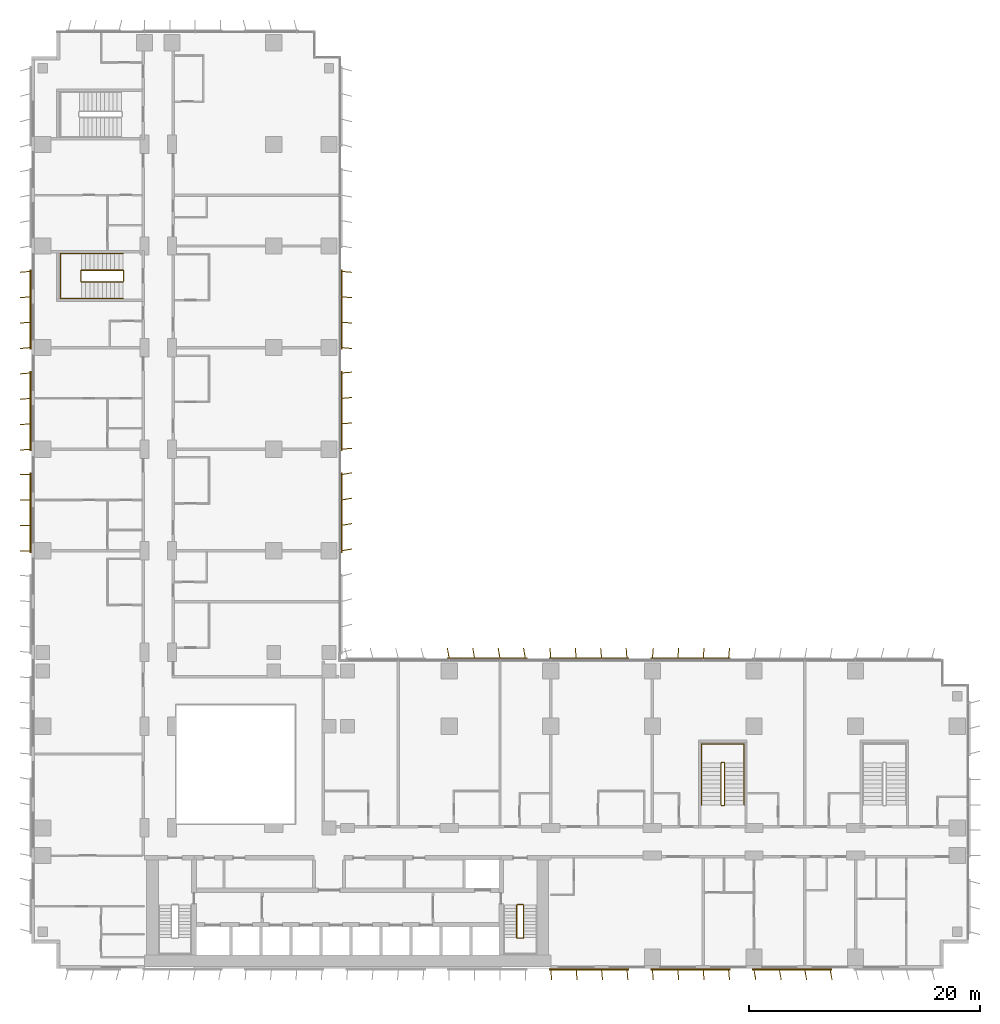
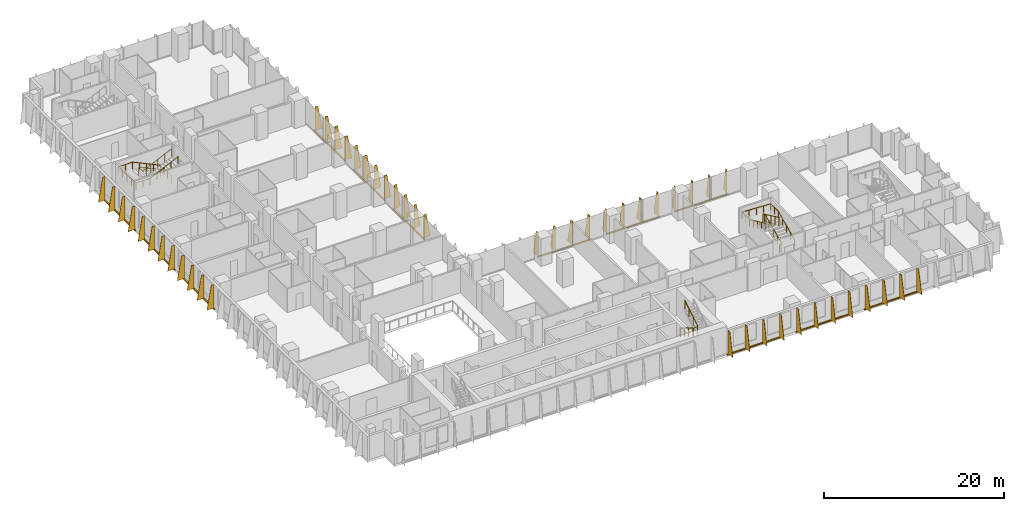
# One storey, part 22 of 24: 12 shading devices, 5 railings.
"""IFC4 building model written with IfcOpenShell, lengths in metres."""

from ifc_helpers import new_model, si_unit, direction, frame, origin, origin_2d, place, context, subcontext, project, spatial, polyline, rectangle, circle, outline, extrude, source, transform, mapped, material, layer, layer_set, type_object, element, save


model = new_model("IFC4")

# Units and contexts
model_context = context("Model", 3, precision=1e-05, world=origin(), true_north=direction((0.0, 1.0)))
body_context = subcontext(model_context, "Body", "Model", "MODEL_VIEW")
ifc_project = project(units=[si_unit("LENGTHUNIT", "METRE"), si_unit("AREAUNIT", "SQUARE_METRE"), si_unit("VOLUMEUNIT", "CUBIC_METRE"), si_unit("PLANEANGLEUNIT", "RADIAN"), si_unit("MASSUNIT", "GRAM", prefix="KILO")], contexts=[model_context])

# Site, building, storey
site_placement = place(None, origin())
site = spatial("IfcSite", under=ifc_project, at=site_placement, CompositionType="ELEMENT")
building_placement = place(site_placement, origin())
building = spatial("IfcBuilding", under=site, at=building_placement, Name="Kemantara Hotel Tower", CompositionType="ELEMENT")
storey_placement = place(building_placement, frame((0.0, 0.0, 79.699951171875)))
storey = spatial("IfcBuildingStorey", under=building, at=storey_placement, Name="L18", CompositionType="ELEMENT", Elevation=79.699951171875)

# Railings
ifc_material_1 = material(Name="Stainless steel balustrade", Category="steel")
railing_type_1 = type_object("IfcRailingType", Name="Stair guard 1100 mm", PredefinedType="GUARDRAIL", material=ifc_material_1)
railing_1_placement = place(storey_placement, frame((42.64990234375, 5.5, 3.699951171875)))
element("IfcRailing", 1, at=railing_1_placement, inside=storey, type_object=railing_type_1, Name="L18 ST2 stair guard 1", PredefinedType="GUARDRAIL", context=body_context, shape_type="SweptSolid", body=[
    extrude(circle(Radius=0.02392578125, at=origin_2d()), frame((0.0, 0.0, 1.076171875), z_axis=(0.0, -0.857275202839, -0.514858452973), x_axis=(1.0, 0.0, 0.0)), (0.0, 0.0, 1.0), 3.26611328125),
    extrude(circle(Radius=0.02392578125, at=origin_2d()), frame((0.0, -2.800048828125, -0.60546875), z_axis=(-0.273006030465, -0.27434429532, -0.922064485248), x_axis=(0.708833529934, -0.705375805398, 0.0)), (0.0, 0.0, 1.0), 0.182373046875),
    extrude(circle(Radius=0.02392578125, at=origin_2d()), frame((-0.0498046875, -2.85009765625, -0.77392578125), z_axis=(-1.0, 0.0, 0.0), x_axis=(0.0, -1.0, 0.0)), (0.0, 0.0, 1.0), 0.5),
    extrude(circle(Radius=0.02392578125, at=origin_2d()), frame((-0.5498046875, -2.85009765625, -0.77392578125), z_axis=(-0.707106781187, 0.707106781187, 0.0), x_axis=(-0.707106781187, -0.707106781187, 0.0)), (0.0, 0.0, 1.0), 0.07080078125),
    extrude(circle(Radius=0.02392578125, at=origin_2d()), frame((-0.599853515625, -2.800048828125, -0.77392578125), z_axis=(0.0, 0.857242210791, -0.514913383045), x_axis=(-1.0, 0.0, 0.0)), (0.0, 0.0, 1.0), 3.266357421875),
    extrude(circle(Radius=0.02392578125, at=origin_2d()), frame((-0.599853515625, 0.0, -2.45556640625), z_axis=(0.274243871929, 0.274243871929, -0.92172696468), x_axis=(-0.707106781187, 0.707106781187, 0.0)), (0.0, 0.0, 1.0), 0.1826171875),
    extrude(circle(Radius=0.02392578125, at=origin_2d()), frame((-0.5498046875, 0.050048828125, -2.6240234375), z_axis=(1.0, 0.0, 0.0), x_axis=(0.0, 1.0, 0.0)), (0.0, 0.0, 1.0), 0.5),
    extrude(circle(Radius=0.02099609375, at=origin_2d()), origin(), (0.0, 0.0, 1.0), 1.052001953125),
    extrude(circle(Radius=0.02099609375, at=origin_2d()), frame((0.0, -0.933349609375, -0.560546875)), (0.0, 0.0, 1.0), 1.052001953125),
    extrude(circle(Radius=0.02099609375, at=origin_2d()), frame((0.0, -1.86669921875, -1.12109375)), (0.0, 0.0, 1.0), 1.052001953125),
    extrude(circle(Radius=0.02099609375, at=origin_2d()), frame((0.0, -2.800048828125, -1.681640625)), (0.0, 0.0, 1.0), 1.052001953125),
    extrude(circle(Radius=0.02099609375, at=origin_2d()), frame((-0.0498046875, -2.85009765625, -1.849853515625)), (0.0, 0.0, 1.0), 1.052001953125),
    extrude(circle(Radius=0.02099609375, at=origin_2d()), frame((-0.5498046875, -2.85009765625, -1.849853515625)), (0.0, 0.0, 1.0), 1.052001953125),
    extrude(circle(Radius=0.02099609375, at=origin_2d()), frame((-0.599853515625, -2.800048828125, -1.849853515625)), (0.0, 0.0, 1.0), 1.052001953125),
    extrude(circle(Radius=0.02099609375, at=origin_2d()), frame((-0.599853515625, -1.86669921875, -2.410400390625)), (0.0, 0.0, 1.0), 1.052001953125),
    extrude(circle(Radius=0.02099609375, at=origin_2d()), frame((-0.599853515625, -0.933349609375, -2.97119140625)), (0.0, 0.0, 1.0), 1.052001953125),
    extrude(circle(Radius=0.02099609375, at=origin_2d()), frame((-0.599853515625, 0.0, -3.53173828125)), (0.0, 0.0, 1.0), 1.052001953125),
    extrude(circle(Radius=0.02099609375, at=origin_2d()), frame((-0.5498046875, 0.050048828125, -3.699951171875)), (0.0, 0.0, 1.0), 1.052001953125),
    extrude(circle(Radius=0.02099609375, at=origin_2d()), frame((-0.0498046875, 0.050048828125, -3.699951171875)), (0.0, 0.0, 1.0), 1.052001953125),
])
railing_2_placement = place(storey_placement, frame((59.75, 14.199951171875, 3.699951171875)))
element("IfcRailing", 2, at=railing_2_placement, inside=storey, type_object=railing_type_1, Name="L18 ST3 stair guard 1", PredefinedType="GUARDRAIL", context=body_context, shape_type="SweptSolid", body=[
    extrude(circle(Radius=0.02392578125, at=origin_2d()), frame((0.0, 0.0, 1.076171875), z_axis=(0.0, 0.906029249863, -0.423215073447), x_axis=(-1.0, 0.0, 0.0)), (0.0, 0.0, 1.0), 3.973388671875),
    extrude(circle(Radius=0.02392578125, at=origin_2d()), frame((0.0, 3.60009765625, -0.60546875), z_axis=(0.274243871929, 0.274243871929, -0.92172696468), x_axis=(-0.707106781187, 0.707106781187, 0.0)), (0.0, 0.0, 1.0), 0.1826171875),
    extrude(circle(Radius=0.02392578125, at=origin_2d()), frame((0.050048828125, 3.650146484375, -0.77392578125), z_axis=(1.0, 0.0, 0.0), x_axis=(0.0, 1.0, 0.0)), (0.0, 0.0, 1.0), 0.199951171875),
    extrude(circle(Radius=0.02392578125, at=origin_2d()), frame((0.25, 3.650146484375, -0.77392578125), z_axis=(0.707106781187, -0.707106781187, 0.0), x_axis=(0.707106781187, 0.707106781187, 0.0)), (0.0, 0.0, 1.0), 0.07080078125),
    extrude(circle(Radius=0.02392578125, at=origin_2d()), frame((0.300048828125, 3.60009765625, -0.77392578125), z_axis=(0.0, -0.906005689286, -0.423265508849), x_axis=(1.0, 0.0, 0.0)), (0.0, 0.0, 1.0), 3.9736328125),
    extrude(circle(Radius=0.02392578125, at=origin_2d()), frame((0.300048828125, 0.0, -2.45556640625), z_axis=(-0.274243871929, -0.274243871929, -0.92172696468), x_axis=(0.707106781187, -0.707106781187, 0.0)), (0.0, 0.0, 1.0), 0.1826171875),
    extrude(circle(Radius=0.02392578125, at=origin_2d()), frame((0.25, -0.050048828125, -2.6240234375), z_axis=(-1.0, 0.0, 0.0), x_axis=(0.0, -1.0, 0.0)), (0.0, 0.0, 1.0), 0.199951171875),
    extrude(circle(Radius=0.02099609375, at=origin_2d()), origin(), (0.0, 0.0, 1.0), 1.052001953125),
    extrude(circle(Radius=0.02099609375, at=origin_2d()), frame((0.0, 0.89990234375, -0.42041015625)), (0.0, 0.0, 1.0), 1.052001953125),
    extrude(circle(Radius=0.02099609375, at=origin_2d()), frame((0.0, 1.800048828125, -0.8408203125)), (0.0, 0.0, 1.0), 1.052001953125),
    extrude(circle(Radius=0.02099609375, at=origin_2d()), frame((0.0, 2.7001953125, -1.26123046875)), (0.0, 0.0, 1.0), 1.052001953125),
    extrude(circle(Radius=0.02099609375, at=origin_2d()), frame((0.0, 3.60009765625, -1.681640625)), (0.0, 0.0, 1.0), 1.052001953125),
    extrude(circle(Radius=0.02099609375, at=origin_2d()), frame((0.050048828125, 3.650146484375, -1.849853515625)), (0.0, 0.0, 1.0), 1.052001953125),
    extrude(circle(Radius=0.02099609375, at=origin_2d()), frame((0.25, 3.650146484375, -1.849853515625)), (0.0, 0.0, 1.0), 1.052001953125),
    extrude(circle(Radius=0.02099609375, at=origin_2d()), frame((0.300048828125, 3.60009765625, -1.849853515625)), (0.0, 0.0, 1.0), 1.052001953125),
    extrude(circle(Radius=0.02099609375, at=origin_2d()), frame((0.300048828125, 2.7001953125, -2.270263671875)), (0.0, 0.0, 1.0), 1.052001953125),
    extrude(circle(Radius=0.02099609375, at=origin_2d()), frame((0.300048828125, 1.800048828125, -2.69091796875)), (0.0, 0.0, 1.0), 1.052001953125),
    extrude(circle(Radius=0.02099609375, at=origin_2d()), frame((0.300048828125, 0.89990234375, -3.111328125)), (0.0, 0.0, 1.0), 1.052001953125),
    extrude(circle(Radius=0.02099609375, at=origin_2d()), frame((0.300048828125, 0.0, -3.53173828125)), (0.0, 0.0, 1.0), 1.052001953125),
    extrude(circle(Radius=0.02099609375, at=origin_2d()), frame((0.25, -0.050048828125, -3.699951171875)), (0.0, 0.0, 1.0), 1.052001953125),
    extrude(circle(Radius=0.02099609375, at=origin_2d()), frame((0.050048828125, -0.050048828125, -3.699951171875)), (0.0, 0.0, 1.0), 1.052001953125),
])
railing_3_placement = place(storey_placement, frame((7.949951171875, 59.5, 3.699951171875)))
element("IfcRailing", 3, at=railing_3_placement, inside=storey, type_object=railing_type_1, Name="L18 ST4 stair guard 1", PredefinedType="GUARDRAIL", context=body_context, shape_type="SweptSolid", body=[
    extrude(circle(Radius=0.02392578125, at=origin_2d()), frame((0.0, 0.0, 1.076171875), z_axis=(-0.906018243939, 0.0, -0.423238634402), x_axis=(0.0, -1.0, 0.0)), (0.0, 0.0, 1.0), 3.973388671875),
    extrude(circle(Radius=0.02392578125, at=origin_2d()), frame((-3.599853515625, 0.0, -0.60546875), z_axis=(-0.274243871929, 0.274243871929, -0.92172696468), x_axis=(-0.707106781187, -0.707106781187, 0.0)), (0.0, 0.0, 1.0), 0.1826171875),
    extrude(circle(Radius=0.02392578125, at=origin_2d()), frame((-3.64990234375, 0.050048828125, -0.77392578125), z_axis=(0.0, 1.0, 0.0), x_axis=(-1.0, 0.0, 0.0)), (0.0, 0.0, 1.0), 0.89990234375),
    extrude(circle(Radius=0.02392578125, at=origin_2d()), frame((-3.64990234375, 0.949951171875, -0.77392578125), z_axis=(0.707106781187, 0.707106781187, 0.0), x_axis=(-0.707106781187, 0.707106781187, 0.0)), (0.0, 0.0, 1.0), 0.07080078125),
    extrude(circle(Radius=0.02392578125, at=origin_2d()), frame((-3.599853515625, 1.0, -0.77392578125), z_axis=(0.905994681025, 0.0, -0.423289071386), x_axis=(0.0, 1.0, 0.0)), (0.0, 0.0, 1.0), 3.973388671875),
    extrude(circle(Radius=0.02392578125, at=origin_2d()), frame((0.0, 1.0, -2.45556640625), z_axis=(0.274243871929, -0.274243871929, -0.92172696468), x_axis=(0.707106781187, 0.707106781187, 0.0)), (0.0, 0.0, 1.0), 0.1826171875),
    extrude(circle(Radius=0.02392578125, at=origin_2d()), frame((0.050048828125, 0.949951171875, -2.6240234375), z_axis=(0.0, -1.0, 0.0), x_axis=(1.0, 0.0, 0.0)), (0.0, 0.0, 1.0), 0.89990234375),
    extrude(circle(Radius=0.02099609375, at=origin_2d()), origin(), (0.0, 0.0, 1.0), 1.052001953125),
    extrude(circle(Radius=0.02099609375, at=origin_2d()), frame((-0.89990234375, 0.0, -0.42041015625)), (0.0, 0.0, 1.0), 1.052001953125),
    extrude(circle(Radius=0.02099609375, at=origin_2d()), frame((-1.7998046875, 0.0, -0.8408203125)), (0.0, 0.0, 1.0), 1.052001953125),
    extrude(circle(Radius=0.02099609375, at=origin_2d()), frame((-2.699951171875, 0.0, -1.26123046875)), (0.0, 0.0, 1.0), 1.052001953125),
    extrude(circle(Radius=0.02099609375, at=origin_2d()), frame((-3.599853515625, 0.0, -1.681640625)), (0.0, 0.0, 1.0), 1.052001953125),
    extrude(circle(Radius=0.02099609375, at=origin_2d()), frame((-3.64990234375, 0.050048828125, -1.849853515625)), (0.0, 0.0, 1.0), 1.052001953125),
    extrude(circle(Radius=0.02099609375, at=origin_2d()), frame((-3.64990234375, 0.949951171875, -1.849853515625)), (0.0, 0.0, 1.0), 1.052001953125),
    extrude(circle(Radius=0.02099609375, at=origin_2d()), frame((-3.599853515625, 1.0, -1.849853515625)), (0.0, 0.0, 1.0), 1.052001953125),
    extrude(circle(Radius=0.02099609375, at=origin_2d()), frame((-2.699951171875, 1.0, -2.270263671875)), (0.0, 0.0, 1.0), 1.052001953125),
    extrude(circle(Radius=0.02099609375, at=origin_2d()), frame((-1.7998046875, 1.0, -2.69091796875)), (0.0, 0.0, 1.0), 1.052001953125),
    extrude(circle(Radius=0.02099609375, at=origin_2d()), frame((-0.89990234375, 1.0, -3.111328125)), (0.0, 0.0, 1.0), 1.052001953125),
    extrude(circle(Radius=0.02099609375, at=origin_2d()), frame((0.0, 1.0, -3.53173828125)), (0.0, 0.0, 1.0), 1.052001953125),
    extrude(circle(Radius=0.02099609375, at=origin_2d()), frame((0.050048828125, 0.949951171875, -3.699951171875)), (0.0, 0.0, 1.0), 1.052001953125),
    extrude(circle(Radius=0.02099609375, at=origin_2d()), frame((0.050048828125, 0.050048828125, -3.699951171875)), (0.0, 0.0, 1.0), 1.052001953125),
])
railing_type_2 = type_object("IfcRailingType", Name="Stair handrail 900 mm", PredefinedType="HANDRAIL", material=ifc_material_1)
railing_4_placement = place(storey_placement, frame((61.75, 14.199951171875, 0.168212890625)))
element("IfcRailing", 4, at=railing_4_placement, inside=storey, type_object=railing_type_2, Name="L18 ST3 stair handrail 1", PredefinedType="HANDRAIL", context=body_context, shape_type="SweptSolid", body=[
    extrude(circle(Radius=0.02392578125, at=origin_2d()), frame((0.0, 0.0, 0.8759765625), z_axis=(0.0, 0.906005689286, 0.423265508849), x_axis=(-1.0, 0.0, 0.0)), (0.0, 0.0, 1.0), 3.9736328125),
    extrude(circle(Radius=0.02392578125, at=origin_2d()), frame((0.0, 3.60009765625, 2.5576171875), z_axis=(0.0, 1.0, 0.0), x_axis=(-1.0, 0.0, 0.0)), (0.0, 0.0, 1.0), 1.679931640625),
    extrude(circle(Radius=0.02392578125, at=origin_2d()), frame((0.0, 5.280029296875, 2.5576171875), z_axis=(-0.998968132438, 0.0, 0.045416631029), x_axis=(0.0, -1.0, 0.0)), (0.0, 0.0, 1.0), 3.703857421875),
    extrude(circle(Radius=0.02392578125, at=origin_2d()), frame((-3.699951171875, 5.280029296875, 2.72607421875), z_axis=(0.0, -1.0, 0.0), x_axis=(1.0, 0.0, 0.0)), (0.0, 0.0, 1.0), 1.679931640625),
    extrude(circle(Radius=0.02392578125, at=origin_2d()), frame((-3.699951171875, 3.60009765625, 2.72607421875), z_axis=(0.0, -0.906029249863, 0.423215073447), x_axis=(1.0, 0.0, 0.0)), (0.0, 0.0, 1.0), 3.973388671875),
    extrude(circle(Radius=0.02099609375, at=origin_2d()), origin(), (0.0, 0.0, 1.0), 0.851806640625),
    extrude(circle(Radius=0.02099609375, at=origin_2d()), frame((0.0, 0.89990234375, 0.42041015625)), (0.0, 0.0, 1.0), 0.851806640625),
    extrude(circle(Radius=0.02099609375, at=origin_2d()), frame((0.0, 1.800048828125, 0.8408203125)), (0.0, 0.0, 1.0), 0.851806640625),
    extrude(circle(Radius=0.02099609375, at=origin_2d()), frame((0.0, 2.7001953125, 1.261474609375)), (0.0, 0.0, 1.0), 0.851806640625),
    extrude(circle(Radius=0.02099609375, at=origin_2d()), frame((0.0, 3.60009765625, 1.681884765625)), (0.0, 0.0, 1.0), 0.851806640625),
    extrude(circle(Radius=0.02099609375, at=origin_2d()), frame((0.0, 4.43994140625, 1.681884765625)), (0.0, 0.0, 1.0), 0.851806640625),
    extrude(circle(Radius=0.02099609375, at=origin_2d()), frame((0.0, 5.280029296875, 1.681884765625)), (0.0, 0.0, 1.0), 0.851806640625),
    extrude(circle(Radius=0.02099609375, at=origin_2d()), frame((-0.925048828125, 5.280029296875, 1.723876953125)), (0.0, 0.0, 1.0), 0.851806640625),
    extrude(circle(Radius=0.02099609375, at=origin_2d()), frame((-1.85009765625, 5.280029296875, 1.76611328125)), (0.0, 0.0, 1.0), 0.851806640625),
    extrude(circle(Radius=0.02099609375, at=origin_2d()), frame((-2.77490234375, 5.280029296875, 1.80810546875)), (0.0, 0.0, 1.0), 0.851806640625),
    extrude(circle(Radius=0.02099609375, at=origin_2d()), frame((-3.699951171875, 5.280029296875, 1.85009765625)), (0.0, 0.0, 1.0), 0.851806640625),
    extrude(circle(Radius=0.02099609375, at=origin_2d()), frame((-3.699951171875, 4.43994140625, 1.85009765625)), (0.0, 0.0, 1.0), 0.851806640625),
    extrude(circle(Radius=0.02099609375, at=origin_2d()), frame((-3.699951171875, 3.60009765625, 1.85009765625)), (0.0, 0.0, 1.0), 0.851806640625),
    extrude(circle(Radius=0.02099609375, at=origin_2d()), frame((-3.699951171875, 2.7001953125, 2.2705078125)), (0.0, 0.0, 1.0), 0.851806640625),
    extrude(circle(Radius=0.02099609375, at=origin_2d()), frame((-3.699951171875, 1.800048828125, 2.69091796875)), (0.0, 0.0, 1.0), 0.851806640625),
    extrude(circle(Radius=0.02099609375, at=origin_2d()), frame((-3.699951171875, 0.89990234375, 3.111328125)), (0.0, 0.0, 1.0), 0.851806640625),
    extrude(circle(Radius=0.02099609375, at=origin_2d()), frame((-3.699951171875, 0.0, 3.53173828125)), (0.0, 0.0, 1.0), 0.851806640625),
])
railing_5_placement = place(storey_placement, frame((7.949951171875, 61.949951171875, 0.168212890625)))
element("IfcRailing", 5, at=railing_5_placement, inside=storey, type_object=railing_type_2, Name="L18 ST4 stair handrail 1", PredefinedType="HANDRAIL", context=body_context, shape_type="SweptSolid", body=[
    extrude(circle(Radius=0.02392578125, at=origin_2d()), frame((0.0, 0.0, 0.8759765625), z_axis=(-0.905994681025, 0.0, 0.423289071386), x_axis=(0.0, -1.0, 0.0)), (0.0, 0.0, 1.0), 3.973388671875),
    extrude(circle(Radius=0.02392578125, at=origin_2d()), frame((-3.599853515625, 0.0, 2.5576171875), z_axis=(-1.0, 0.0, 0.0), x_axis=(0.0, -1.0, 0.0)), (0.0, 0.0, 1.0), 1.830078125),
    extrude(circle(Radius=0.02392578125, at=origin_2d()), frame((-5.429931640625, 0.0, 2.5576171875), z_axis=(0.0, -0.999071085748, 0.043092523981), x_axis=(1.0, 0.0, 0.0)), (0.0, 0.0, 1.0), 3.903564453125),
    extrude(circle(Radius=0.02392578125, at=origin_2d()), frame((-5.429931640625, -3.89990234375, 2.72607421875), z_axis=(1.0, 0.0, 0.0), x_axis=(0.0, 1.0, 0.0)), (0.0, 0.0, 1.0), 1.830078125),
    extrude(circle(Radius=0.02392578125, at=origin_2d()), frame((-3.599853515625, -3.89990234375, 2.72607421875), z_axis=(0.906018243939, 0.0, 0.423238634402), x_axis=(0.0, 1.0, 0.0)), (0.0, 0.0, 1.0), 3.973388671875),
    extrude(circle(Radius=0.02099609375, at=origin_2d()), origin(), (0.0, 0.0, 1.0), 0.851806640625),
    extrude(circle(Radius=0.02099609375, at=origin_2d()), frame((-0.89990234375, 0.0, 0.42041015625)), (0.0, 0.0, 1.0), 0.851806640625),
    extrude(circle(Radius=0.02099609375, at=origin_2d()), frame((-1.7998046875, 0.0, 0.8408203125)), (0.0, 0.0, 1.0), 0.851806640625),
    extrude(circle(Radius=0.02099609375, at=origin_2d()), frame((-2.699951171875, 0.0, 1.261474609375)), (0.0, 0.0, 1.0), 0.851806640625),
    extrude(circle(Radius=0.02099609375, at=origin_2d()), frame((-3.599853515625, 0.0, 1.681884765625)), (0.0, 0.0, 1.0), 0.851806640625),
    extrude(circle(Radius=0.02099609375, at=origin_2d()), frame((-4.514892578125, 0.0, 1.681884765625)), (0.0, 0.0, 1.0), 0.851806640625),
    extrude(circle(Radius=0.02099609375, at=origin_2d()), frame((-5.429931640625, 0.0, 1.681884765625)), (0.0, 0.0, 1.0), 0.851806640625),
    extrude(circle(Radius=0.02099609375, at=origin_2d()), frame((-5.429931640625, -0.97509765625, 1.723876953125)), (0.0, 0.0, 1.0), 0.851806640625),
    extrude(circle(Radius=0.02099609375, at=origin_2d()), frame((-5.429931640625, -1.949951171875, 1.76611328125)), (0.0, 0.0, 1.0), 0.851806640625),
    extrude(circle(Radius=0.02099609375, at=origin_2d()), frame((-5.429931640625, -2.9248046875, 1.80810546875)), (0.0, 0.0, 1.0), 0.851806640625),
    extrude(circle(Radius=0.02099609375, at=origin_2d()), frame((-5.429931640625, -3.89990234375, 1.85009765625)), (0.0, 0.0, 1.0), 0.851806640625),
    extrude(circle(Radius=0.02099609375, at=origin_2d()), frame((-4.514892578125, -3.89990234375, 1.85009765625)), (0.0, 0.0, 1.0), 0.851806640625),
    extrude(circle(Radius=0.02099609375, at=origin_2d()), frame((-3.599853515625, -3.89990234375, 1.85009765625)), (0.0, 0.0, 1.0), 0.851806640625),
    extrude(circle(Radius=0.02099609375, at=origin_2d()), frame((-2.699951171875, -3.89990234375, 2.2705078125)), (0.0, 0.0, 1.0), 0.851806640625),
    extrude(circle(Radius=0.02099609375, at=origin_2d()), frame((-1.7998046875, -3.89990234375, 2.69091796875)), (0.0, 0.0, 1.0), 0.851806640625),
    extrude(circle(Radius=0.02099609375, at=origin_2d()), frame((-0.89990234375, -3.89990234375, 3.111328125)), (0.0, 0.0, 1.0), 0.851806640625),
    extrude(circle(Radius=0.02099609375, at=origin_2d()), frame((0.0, -3.89990234375, 3.53173828125)), (0.0, 0.0, 1.0), 0.851806640625),
])

# Shading devices
ifc_material_2 = material(Name="Perforated aluminium plate 4 mm bronze anodised", Category="aluminium")
ifc_layer_1 = layer(ifc_material_2, 0.0400390625)
ifc_layer_set_1 = layer_set([ifc_layer_1], Name="Perforated aluminium plate 4 mm bronze anodised")
shading_device_type_1 = type_object("IfcShadingDeviceType", Name="SCREEN FIN CASSETTE, 4 BLADES AT -5.0 DEG, 3200 HIGH", PredefinedType="USERDEFINED", material=ifc_layer_set_1)
shared_shape_1 = source(origin(), body_context, "Body", "SweptSolid", [
    extrude(rectangle(XDim=6.89990234375, YDim=0.14990234375, at=origin_2d()), frame((3.300048828125, -0.074951171875, -0.14990234375), z_axis=(0.0, 0.0, 1.0), x_axis=(1.0, 0.0, 0.0)), (0.0, 0.0, 1.0), 0.14990234375),
    extrude(outline(polyline([(0.0, 0.0), (0.89990234375, 0.0), (0.35009765625, 3.199951171875), (0.0, 3.199951171875), (0.0, 0.0)])), frame((0.02001953125, -0.07666015625, 0.0), z_axis=(-0.996376129781, 0.085056498884, 0.0), x_axis=(-0.085056498884, -0.996376129781, 0.0)), (0.0, 0.0, 1.0), 0.040283203125),
    extrude(outline(polyline([(0.0, 0.0), (0.89990234375, 0.0), (0.35009765625, 3.199951171875), (0.0, 3.199951171875), (0.0, 0.0)])), frame((2.219970703125, -0.07666015625, 0.0), z_axis=(-0.996331773833, 0.085574508182, 0.0), x_axis=(-0.085574508182, -0.996331773833, 0.0)), (0.0, 0.0, 1.0), 0.0400390625),
    extrude(outline(polyline([(0.0, 0.0), (0.89990234375, 0.0), (0.35009765625, 3.199951171875), (0.0, 3.199951171875), (0.0, 0.0)])), frame((4.419921875, -0.07666015625, 0.0), z_axis=(-0.996331773833, 0.085574508182, 0.0), x_axis=(-0.085574508182, -0.996331773833, 0.0)), (0.0, 0.0, 1.0), 0.0400390625),
    extrude(outline(polyline([(0.0, 0.0), (0.89990234375, 0.0), (0.35009765625, 3.199951171875), (0.0, 3.199951171875), (0.0, 0.0)])), frame((6.619873046875, -0.07666015625, 0.0), z_axis=(-0.996331773833, 0.085574508182, 0.0), x_axis=(-0.085574508182, -0.996331773833, 0.0)), (0.0, 0.0, 1.0), 0.0400390625),
])
for number, where, z_axis, x_axis, name in (
    (6, (60.39990234375, 26.800048828125, 0.10009765625), (0.0, 0.0, 1.0), (-1.0, 0.0, 0.0), "SCREEN FIN CASSETTE L18 T1-R07-3"),
    (7, (26.800048828125, 53.800048828125, 0.10009765625), (0.0, 0.0, 1.0), (0.0, 1.0, 0.0), "SCREEN FIN CASSETTE L18 T1-R08-4"),
):
    element("IfcShadingDevice", number, at=place(storey_placement, frame(where, z_axis=z_axis, x_axis=x_axis)), inside=storey, type_object=shading_device_type_1, Name=name, ObjectType="SCREEN FIN", PredefinedType="USERDEFINED", context=body_context, shape_type="MappedRepresentation", body=[
        mapped(shared_shape_1, transform((0.0, 0.0, 0.0))),
    ])
ifc_layer_2 = layer(ifc_material_2, 0.0400390625)
ifc_layer_set_2 = layer_set([ifc_layer_2], Name="Perforated aluminium plate 4 mm bronze anodised")
shading_device_type_2 = type_object("IfcShadingDeviceType", Name="SCREEN FIN CASSETTE, 4 BLADES AT +0.0 DEG, 3200 HIGH", PredefinedType="USERDEFINED", material=ifc_layer_set_2)
shared_shape_2 = source(origin(), body_context, "Body", "SweptSolid", [
    extrude(rectangle(XDim=6.89990234375, YDim=0.14990234375, at=origin_2d()), frame((3.300048828125, -0.074951171875, -0.14990234375), z_axis=(0.0, 0.0, 1.0), x_axis=(1.0, 0.0, 0.0)), (0.0, 0.0, 1.0), 0.14990234375),
    extrude(outline(polyline([(0.0, 0.0), (0.89990234375, 0.0), (0.35009765625, 3.199951171875), (0.0, 3.199951171875), (0.0, 0.0)])), frame((0.02001953125, -0.074951171875, 0.0), z_axis=(-1.0, 0.0, 0.0), x_axis=(0.0, -1.0, 0.0)), (0.0, 0.0, 1.0), 0.0400390625),
    extrude(outline(polyline([(0.0, 0.0), (0.89990234375, 0.0), (0.35009765625, 3.199951171875), (0.0, 3.199951171875), (0.0, 0.0)])), frame((2.219970703125, -0.074951171875, 0.0), z_axis=(-1.0, 0.0, 0.0), x_axis=(0.0, -1.0, 0.0)), (0.0, 0.0, 1.0), 0.0400390625),
    extrude(outline(polyline([(0.0, 0.0), (0.89990234375, 0.0), (0.35009765625, 3.199951171875), (0.0, 3.199951171875), (0.0, 0.0)])), frame((4.419921875, -0.074951171875, 0.0), z_axis=(-1.0, 0.0, 0.0), x_axis=(0.0, -1.0, 0.0)), (0.0, 0.0, 1.0), 0.0400390625),
    extrude(outline(polyline([(0.0, 0.0), (0.89990234375, 0.0), (0.35009765625, 3.199951171875), (0.0, 3.199951171875), (0.0, 0.0)])), frame((6.6201171875, -0.074951171875, 0.0), z_axis=(-1.0, 0.0, 0.0), x_axis=(0.0, -1.0, 0.0)), (0.0, 0.0, 1.0), 0.0400390625),
])
shading_device_placement = place(storey_placement, frame((0.0, 42.800048828125, 0.10009765625), z_axis=(0.0, 0.0, 1.0), x_axis=(0.0, -1.0, 0.0)))
element("IfcShadingDevice", 8, at=shading_device_placement, inside=storey, type_object=shading_device_type_2, Name="SCREEN FIN CASSETTE L18 T1-R14-5", ObjectType="SCREEN FIN", PredefinedType="USERDEFINED", context=body_context, shape_type="MappedRepresentation", body=[
    mapped(shared_shape_2, transform((0.0, 0.0, 0.0))),
])
ifc_layer_3 = layer(ifc_material_2, 0.0400390625)
ifc_layer_set_3 = layer_set([ifc_layer_3], Name="Perforated aluminium plate 4 mm bronze anodised")
shading_device_type_3 = type_object("IfcShadingDeviceType", Name="SCREEN FIN CASSETTE, 4 BLADES AT +5.0 DEG, 3200 HIGH", PredefinedType="USERDEFINED", material=ifc_layer_set_3)
shared_shape_3 = source(origin(), body_context, "Body", "SweptSolid", [
    extrude(rectangle(XDim=6.89990234375, YDim=0.14990234375, at=origin_2d()), frame((3.300048828125, -0.074951171875, -0.14990234375), z_axis=(0.0, 0.0, 1.0), x_axis=(1.0, 0.0, 0.0)), (0.0, 0.0, 1.0), 0.14990234375),
    extrude(outline(polyline([(0.0, 0.0), (0.89990234375, 0.0), (0.35009765625, 3.199951171875), (0.0, 3.199951171875), (0.0, 0.0)])), frame((0.02001953125, -0.0732421875, 0.0), z_axis=(-0.996376129781, -0.085056498884, 0.0), x_axis=(0.085056498884, -0.996376129781, 0.0)), (0.0, 0.0, 1.0), 0.040283203125),
    extrude(outline(polyline([(0.0, 0.0), (0.89990234375, 0.0), (0.35009765625, 3.199951171875), (0.0, 3.199951171875), (0.0, 0.0)])), frame((2.219970703125, -0.0732421875, 0.0), z_axis=(-0.996331773833, -0.085574508182, 0.0), x_axis=(0.085574508182, -0.996331773833, 0.0)), (0.0, 0.0, 1.0), 0.0400390625),
    extrude(outline(polyline([(0.0, 0.0), (0.89990234375, 0.0), (0.35009765625, 3.199951171875), (0.0, 3.199951171875), (0.0, 0.0)])), frame((4.419921875, -0.0732421875, 0.0), z_axis=(-0.996331773833, -0.085574508182, 0.0), x_axis=(0.085574508182, -0.996331773833, 0.0)), (0.0, 0.0, 1.0), 0.0400390625),
    extrude(outline(polyline([(0.0, 0.0), (0.89990234375, 0.0), (0.35009765625, 3.199951171875), (0.0, 3.199951171875), (0.0, 0.0)])), frame((6.619873046875, -0.0732421875, 0.0), z_axis=(-0.996331773833, -0.085574508182, 0.0), x_axis=(0.085574508182, -0.996331773833, 0.0)), (0.0, 0.0, 1.0), 0.0400390625),
])
for number, where, z_axis, x_axis, name in (
    (9, (45.0, 0.0, 0.10009765625), (0.0, 0.0, 1.0), (1.0, 0.0, 0.0), "SCREEN FIN CASSETTE L18 T1-R01-6"),
    (10, (53.800048828125, 0.0, 0.10009765625), (0.0, 0.0, 1.0), (1.0, 0.0, 0.0), "SCREEN FIN CASSETTE L18 T1-R01-7"),
    (11, (51.60009765625, 26.800048828125, 0.10009765625), (0.0, 0.0, 1.0), (-1.0, 0.0, 0.0), "SCREEN FIN CASSETTE L18 T1-R07-4"),
    (12, (26.800048828125, 45.0, 0.10009765625), (0.0, 0.0, 1.0), (0.0, 1.0, 0.0), "SCREEN FIN CASSETTE L18 T1-R08-3"),
    (13, (0.0, 60.39990234375, 0.10009765625), (0.0, 0.0, 1.0), (0.0, -1.0, 0.0), "SCREEN FIN CASSETTE L18 T1-R14-3"),
    (14, (0.0, 51.60009765625, 0.10009765625), (0.0, 0.0, 1.0), (0.0, -1.0, 0.0), "SCREEN FIN CASSETTE L18 T1-R14-4"),
):
    element("IfcShadingDevice", number, at=place(storey_placement, frame(where, z_axis=z_axis, x_axis=x_axis)), inside=storey, type_object=shading_device_type_3, Name=name, ObjectType="SCREEN FIN", PredefinedType="USERDEFINED", context=body_context, shape_type="MappedRepresentation", body=[
        mapped(shared_shape_3, transform((0.0, 0.0, 0.0))),
    ])
ifc_layer_4 = layer(ifc_material_2, 0.0400390625)
ifc_layer_set_4 = layer_set([ifc_layer_4], Name="Perforated aluminium plate 4 mm bronze anodised")
shading_device_type_4 = type_object("IfcShadingDeviceType", Name="SCREEN FIN CASSETTE, 4 BLADES AT +10.0 DEG, 3200 HIGH", PredefinedType="USERDEFINED", material=ifc_layer_set_4)
shared_shape_4 = source(origin(), body_context, "Body", "SweptSolid", [
    extrude(rectangle(XDim=6.89990234375, YDim=0.14990234375, at=origin_2d()), frame((3.300048828125, -0.074951171875, -0.14990234375), z_axis=(0.0, 0.0, 1.0), x_axis=(1.0, 0.0, 0.0)), (0.0, 0.0, 1.0), 0.14990234375),
    extrude(outline(polyline([(0.0, 0.0), (0.89990234375, 0.0), (0.35009765625, 3.199951171875), (0.0, 3.199951171875), (0.0, 0.0)])), frame((0.019775390625, -0.071533203125, 0.0), z_axis=(-0.985389793052, -0.170314285219, 0.0), x_axis=(0.170314285219, -0.985389793052, 0.0)), (0.0, 0.0, 1.0), 0.0400390625),
    extrude(outline(polyline([(0.0, 0.0), (0.89990234375, 0.0), (0.35009765625, 3.199951171875), (0.0, 3.199951171875), (0.0, 0.0)])), frame((2.2197265625, -0.071533203125, 0.0), z_axis=(-0.98521175482, -0.171341174751, 0.0), x_axis=(0.171341174751, -0.98521175482, 0.0)), (0.0, 0.0, 1.0), 0.039794921875),
    extrude(outline(polyline([(0.0, 0.0), (0.89990234375, 0.0), (0.35009765625, 3.199951171875), (0.0, 3.199951171875), (0.0, 0.0)])), frame((4.419677734375, -0.071533203125, 0.0), z_axis=(-0.98521175482, -0.171341174751, 0.0), x_axis=(0.171341174751, -0.98521175482, 0.0)), (0.0, 0.0, 1.0), 0.039794921875),
    extrude(outline(polyline([(0.0, 0.0), (0.89990234375, 0.0), (0.35009765625, 3.199951171875), (0.0, 3.199951171875), (0.0, 0.0)])), frame((6.61962890625, -0.071533203125, 0.0), z_axis=(-0.98521175482, -0.171341174751, 0.0), x_axis=(0.171341174751, -0.98521175482, 0.0)), (0.0, 0.0, 1.0), 0.039794921875),
])
for number, where, z_axis, x_axis, name in (
    (15, (62.60009765625, 0.0, 0.10009765625), (0.0, 0.0, 1.0), (1.0, 0.0, 0.0), "SCREEN FIN CASSETTE L18 T1-R01-8"),
    (16, (42.800048828125, 26.800048828125, 0.10009765625), (0.0, 0.0, 1.0), (-1.0, 0.0, 0.0), "SCREEN FIN CASSETTE L18 T1-R07-5"),
    (17, (26.800048828125, 36.199951171875, 0.10009765625), (0.0, 0.0, 1.0), (0.0, 1.0, 0.0), "SCREEN FIN CASSETTE L18 T1-R08-2"),
):
    element("IfcShadingDevice", number, at=place(storey_placement, frame(where, z_axis=z_axis, x_axis=x_axis)), inside=storey, type_object=shading_device_type_4, Name=name, ObjectType="SCREEN FIN", PredefinedType="USERDEFINED", context=body_context, shape_type="MappedRepresentation", body=[
        mapped(shared_shape_4, transform((0.0, 0.0, 0.0))),
    ])

save(model, "model.ifc")
